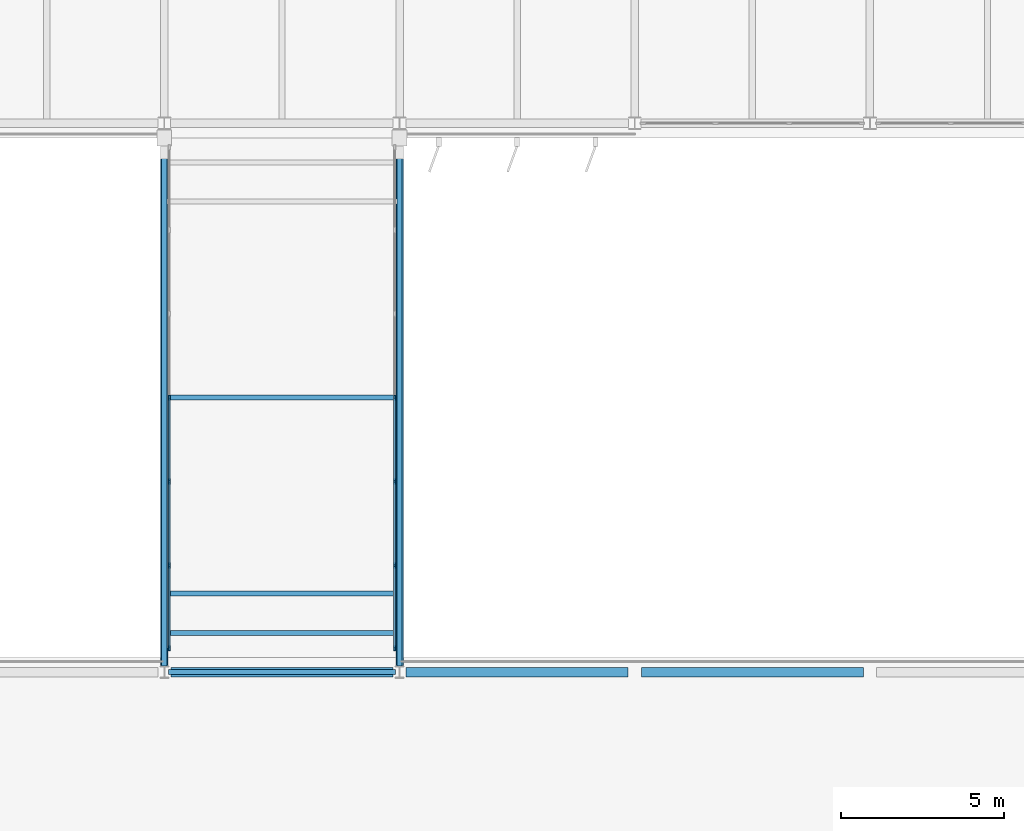
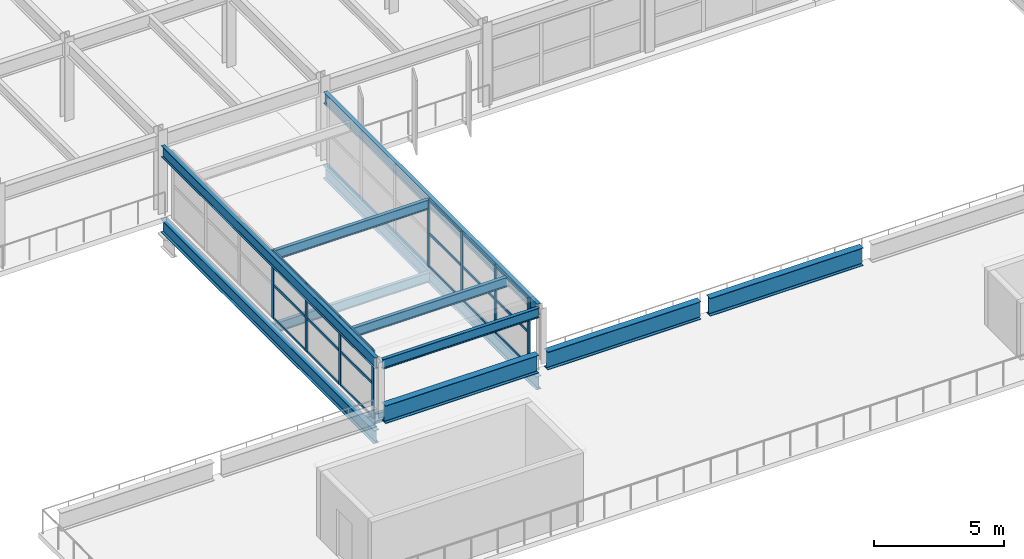
# One storey, part 19 of 93: 26 members, 12 beams, 2 elements without a shape of their own.
"""IFC4 building model written with IfcOpenShell, lengths in metres."""

from ifc_helpers import new_model, si_unit, direction, frame, origin, origin_2d, place, context, subcontext, project, spatial, rectangle, i_section, extrude, material, material_profile, profile_set, type_object, element, aggregate, save


model = new_model("IFC4")

# Units and contexts
model_context = context("Model", 3, precision=1e-05, world=origin(), true_north=direction((0.0, 1.0)))
body_context = subcontext(model_context, "Body", "Model", "MODEL_VIEW")
ifc_project = project(units=[si_unit("LENGTHUNIT", "METRE"), si_unit("AREAUNIT", "SQUARE_METRE"), si_unit("VOLUMEUNIT", "CUBIC_METRE"), si_unit("PLANEANGLEUNIT", "RADIAN"), si_unit("MASSUNIT", "GRAM", prefix="KILO")], contexts=[model_context])

# Site, building, storey
site_placement = place(None, origin())
site = spatial("IfcSite", under=ifc_project, at=site_placement, CompositionType="ELEMENT")
building_placement = place(site_placement, origin())
building = spatial("IfcBuilding", under=site, at=building_placement, Name="Vaelcorin Mobility Hub", CompositionType="ELEMENT")
storey_placement = place(building_placement, frame((0.0, 0.0, 5.39990234375)))
storey = spatial("IfcBuildingStorey", under=building, at=storey_placement, Name="L01", CompositionType="ELEMENT", Elevation=5.39990234375)

# Beams
ifc_material_1 = material(Name="Steel ASTM A992 Grade 50", Category="steel")
ifc_material_profile_1 = material_profile(ifc_material_1, i_section(OverallWidth=0.152099609375, OverallDepth=0.455078125, WebThickness=0.008056640625, FlangeThickness=0.01318359375, FilletRadius=0.012939453125, at=origin_2d()), Name="W18X40")
ifc_profile_set_1 = profile_set([ifc_material_profile_1], Name="Steel ASTM A992 Grade 50")
beam_type_1 = type_object("IfcBeamType", Name="BM-W18X40", PredefinedType="JOIST", material=ifc_profile_set_1)
for number, where, z_axis, x_axis, name in (
    (1, (50.511962890625, 61.199951171875, -0.447998046875), (1.0, 0.0, 0.0), (0.0, 1.0, 0.0), "Link Bridge Floor Cross Beam LB1-BX-1"),
    (2, (50.511962890625, 68.39990234375, -0.447998046875), (1.0, 0.0, 0.0), (0.0, 1.0, 0.0), "Link Bridge Floor Cross Beam LB1-BX-2"),
):
    element("IfcBeam", number, at=place(storey_placement, frame(where, z_axis=z_axis, x_axis=x_axis)), inside=storey, type_object=beam_type_1, Name=name, PredefinedType="JOIST", context=body_context, shape_type="SweptSolid", body=[
        extrude(i_section(OverallWidth=0.152099609375, OverallDepth=0.455078125, WebThickness=0.008056640625, FlangeThickness=0.01318359375, FilletRadius=0.012939453125, at=origin_2d()), origin(), (0.0, 0.0, 1.0), 6.97607421875),
    ])
beam_1_placement = place(storey_placement, frame((50.530029296875, 60.0, 2.97216796875), z_axis=(1.0, 0.0, 0.0), x_axis=(0.0, 1.0, 0.0)))
element("IfcBeam", 3, at=beam_1_placement, inside=storey, type_object=beam_type_1, Name="L01 Beam LB1-RFX-S", PredefinedType="JOIST", context=body_context, shape_type="SweptSolid", body=[
    extrude(i_section(OverallWidth=0.152099609375, OverallDepth=0.455078125, WebThickness=0.008056640625, FlangeThickness=0.01318359375, FilletRadius=0.012939453125, at=origin_2d()), origin(), (0.0, 0.0, 1.0), 6.93994140625),
])
for number, where, z_axis, x_axis, name in (
    (4, (50.48095703125, 62.39990234375, 2.97216796875), (1.0, 0.0, 0.0), (0.0, 1.0, 0.0), "L01 Beam LB1-RFX-1"),
    (5, (50.48095703125, 68.39990234375, 2.97216796875), (1.0, 0.0, 0.0), (0.0, 1.0, 0.0), "L01 Beam LB1-RFX-2"),
):
    element("IfcBeam", number, at=place(storey_placement, frame(where, z_axis=z_axis, x_axis=x_axis)), inside=storey, type_object=beam_type_1, Name=name, PredefinedType="JOIST", context=body_context, shape_type="SweptSolid", body=[
        extrude(i_section(OverallWidth=0.152099609375, OverallDepth=0.455078125, WebThickness=0.008056640625, FlangeThickness=0.01318359375, FilletRadius=0.012939453125, at=origin_2d()), origin(), (0.0, 0.0, 1.0), 7.0380859375),
    ])
ifc_material_profile_2 = material_profile(ifc_material_1, i_section(OverallWidth=0.166015625, OverallDepth=0.528076171875, WebThickness=0.009765625, FlangeThickness=0.013671875, FilletRadius=0.013916015625, at=origin_2d()), Name="W21X50")
ifc_profile_set_2 = profile_set([ifc_material_profile_2], Name="Steel ASTM A992 Grade 50")
beam_type_2 = type_object("IfcBeamType", Name="BM-W21X50", PredefinedType="JOIST", material=ifc_profile_set_2)
for number, where, z_axis, x_axis, name in (
    (6, (50.39990234375, 60.179931640625, 2.93603515625), (0.0, 1.0, 0.0), (-1.0, 0.0, 0.0), "L01 Beam LB1-RFG-W"),
    (7, (57.60009765625, 60.179931640625, 2.93603515625), (0.0, 1.0, 0.0), (-1.0, 0.0, 0.0), "L01 Beam LB1-RFG-E"),
):
    element("IfcBeam", number, at=place(storey_placement, frame(where, z_axis=z_axis, x_axis=x_axis)), inside=storey, type_object=beam_type_2, Name=name, PredefinedType="JOIST", context=body_context, shape_type="SweptSolid", body=[
        extrude(i_section(OverallWidth=0.166015625, OverallDepth=0.528076171875, WebThickness=0.009765625, FlangeThickness=0.013671875, FilletRadius=0.013916015625, at=origin_2d()), origin(), (0.0, 0.0, 1.0), 16.43017578125),
    ])
ifc_material_profile_3 = material_profile(ifc_material_1, i_section(OverallWidth=0.22900390625, OverallDepth=0.612060546875, WebThickness=0.011962890625, FlangeThickness=0.01953125, FilletRadius=0.014892578125, at=origin_2d()), Name="W24X84")
ifc_profile_set_3 = profile_set([ifc_material_profile_3], Name="Steel ASTM A992 Grade 50")
beam_type_3 = type_object("IfcBeamType", Name="BM-W24X84", PredefinedType="BEAM", material=ifc_profile_set_3)
for number, where, z_axis, x_axis, name in (
    (8, (50.39990234375, 60.199951171875, -0.52587890625), (0.0, 1.0, 0.0), (-1.0, 0.0, 0.0), "Link Bridge Girder LB1-W"),
    (9, (57.60009765625, 60.199951171875, -0.52587890625), (0.0, 1.0, 0.0), (-1.0, 0.0, 0.0), "Link Bridge Girder LB1-E"),
):
    element("IfcBeam", number, at=place(storey_placement, frame(where, z_axis=z_axis, x_axis=x_axis)), inside=storey, type_object=beam_type_3, Name=name, PredefinedType="BEAM", context=body_context, shape_type="SweptSolid", body=[
        extrude(i_section(OverallWidth=0.22900390625, OverallDepth=0.612060546875, WebThickness=0.011962890625, FlangeThickness=0.01953125, FilletRadius=0.014892578125, at=origin_2d()), origin(), (0.0, 0.0, 1.0), 16.400146484375),
    ])
ifc_material_profile_4 = material_profile(ifc_material_1, i_section(OverallWidth=0.2919921875, OverallDepth=0.841064453125, WebThickness=0.0146484375, FlangeThickness=0.021728515625, FilletRadius=0.01806640625, at=origin_2d()), Name="W33X130")
ifc_profile_set_4 = profile_set([ifc_material_profile_4], Name="Steel ASTM A992 Grade 50")
beam_type_4 = type_object("IfcBeamType", Name="BM-W33X130", PredefinedType="BEAM", material=ifc_profile_set_4)
beam_2_placement = place(storey_placement, frame((50.60009765625, 60.0, 0.630126953125), z_axis=(1.0, 0.0, 0.0), x_axis=(0.0, 1.0, 0.0)))
element("IfcBeam", 10, at=beam_2_placement, inside=storey, type_object=beam_type_4, Name="L01 Beam V1-EAVE-N-03", PredefinedType="BEAM", context=body_context, shape_type="SweptSolid", body=[
    extrude(i_section(OverallWidth=0.2919921875, OverallDepth=0.841064453125, WebThickness=0.0146484375, FlangeThickness=0.021728515625, FilletRadius=0.01806640625, at=origin_2d()), origin(), (0.0, 0.0, 1.0), 6.7998046875),
])
for number, where, z_axis, x_axis, name in (
    (11, (57.800048828125, 60.0, 0.630126953125), (1.0, 0.0, 0.0), (0.0, 1.0, 0.0), "L01 Beam V1-EAVE-N-04"),
    (12, (65.0, 60.0, 0.630126953125), (1.0, 0.0, 0.0), (0.0, 1.0, 0.0), "L01 Beam V1-EAVE-N-05"),
):
    element("IfcBeam", number, at=place(storey_placement, frame(where, z_axis=z_axis, x_axis=x_axis)), inside=storey, type_object=beam_type_4, Name=name, PredefinedType="BEAM", context=body_context, shape_type="SweptSolid", body=[
        extrude(i_section(OverallWidth=0.2919921875, OverallDepth=0.841064453125, WebThickness=0.0146484375, FlangeThickness=0.021728515625, FilletRadius=0.01806640625, at=origin_2d()), origin(), (0.0, 0.0, 1.0), 6.800048828125),
    ])

# Curtain wall, members
ifc_material_2 = material(Name="Anodised aluminium 6063-T6", Category="aluminium")
curtain_wall_type = type_object("IfcCurtainWallType", Name="CW-BRG-A", PredefinedType="NOTDEFINED", material=ifc_material_2)
curtain_wall_1_placement = place(storey_placement, origin())
curtain_wall_1 = element("IfcCurtainWall", 13, at=curtain_wall_1_placement, inside=storey, type_object=curtain_wall_type, Name="L01 Curtain Wall CW-LB1-W", PredefinedType="NOTDEFINED")
ifc_material_profile_5 = material_profile(ifc_material_2, rectangle(XDim=0.06005859375, YDim=0.159912109375, at=origin_2d()), Name="ALU-M60X160")
ifc_profile_set_5 = profile_set([ifc_material_profile_5], Name="Anodised aluminium 6063-T6")
member_type_1 = type_object("IfcMemberType", Name="CW-MULL-160", PredefinedType="MULLION", material=ifc_profile_set_5)
member_1_placement = place(storey_placement, frame((50.550048828125, 60.72998046875, 0.0), z_axis=(0.0, 0.0, 1.0), x_axis=(-1.0, 0.0, 0.0)))
member_1 = element("IfcMember", 14, at=member_1_placement, type_object=member_type_1, Name="CW8 mullion 1", PredefinedType="MULLION", context=body_context, shape_type="SweptSolid", body=[
    extrude(rectangle(XDim=0.06005859375, YDim=0.159912109375, at=origin_2d()), origin(), (0.0, 0.0, 1.0), 3.2001953125),
])
member_2_placement = place(storey_placement, frame((50.550048828125, 63.2666015625, 0.0), z_axis=(0.0, 0.0, 1.0), x_axis=(-1.0, 0.0, 0.0)))
member_2 = element("IfcMember", 15, at=member_2_placement, type_object=member_type_1, Name="CW8 mullion 2", PredefinedType="MULLION", context=body_context, shape_type="SweptSolid", body=[
    extrude(rectangle(XDim=0.06005859375, YDim=0.159912109375, at=origin_2d()), origin(), (0.0, 0.0, 1.0), 3.2001953125),
])
member_3_placement = place(storey_placement, frame((50.550048828125, 65.833251953125, 0.0), z_axis=(0.0, 0.0, 1.0), x_axis=(-1.0, 0.0, 0.0)))
member_3 = element("IfcMember", 16, at=member_3_placement, type_object=member_type_1, Name="CW8 mullion 3", PredefinedType="MULLION", context=body_context, shape_type="SweptSolid", body=[
    extrude(rectangle(XDim=0.06005859375, YDim=0.159912109375, at=origin_2d()), origin(), (0.0, 0.0, 1.0), 3.2001953125),
])
member_4_placement = place(storey_placement, frame((50.550048828125, 68.39990234375, 0.0), z_axis=(0.0, 0.0, 1.0), x_axis=(-1.0, 0.0, 0.0)))
member_4 = element("IfcMember", 17, at=member_4_placement, type_object=member_type_1, Name="CW8 mullion 4", PredefinedType="MULLION", context=body_context, shape_type="SweptSolid", body=[
    extrude(rectangle(XDim=0.06005859375, YDim=0.159912109375, at=origin_2d()), origin(), (0.0, 0.0, 1.0), 3.2001953125),
])

curtain_wall_2_placement = place(storey_placement, origin())
curtain_wall_2 = element("IfcCurtainWall", 18, at=curtain_wall_2_placement, inside=storey, type_object=curtain_wall_type, Name="L01 Curtain Wall CW-LB1-E", PredefinedType="NOTDEFINED")
member_5_placement = place(storey_placement, frame((57.449951171875, 68.39990234375, 0.0), z_axis=(0.0, 0.0, 1.0), x_axis=(1.0, 0.0, 0.0)))
member_5 = element("IfcMember", 19, at=member_5_placement, type_object=member_type_1, Name="CW8 mullion 4", PredefinedType="MULLION", context=body_context, shape_type="SweptSolid", body=[
    extrude(rectangle(XDim=0.06005859375, YDim=0.159912109375, at=origin_2d()), origin(), (0.0, 0.0, 1.0), 3.2001953125),
])
member_6_placement = place(storey_placement, frame((57.449951171875, 65.833251953125, 0.0), z_axis=(0.0, 0.0, 1.0), x_axis=(1.0, 0.0, 0.0)))
member_6 = element("IfcMember", 20, at=member_6_placement, type_object=member_type_1, Name="CW8 mullion 5", PredefinedType="MULLION", context=body_context, shape_type="SweptSolid", body=[
    extrude(rectangle(XDim=0.06005859375, YDim=0.159912109375, at=origin_2d()), origin(), (0.0, 0.0, 1.0), 3.2001953125),
])
member_7_placement = place(storey_placement, frame((57.449951171875, 63.2666015625, 0.0), z_axis=(0.0, 0.0, 1.0), x_axis=(1.0, 0.0, 0.0)))
member_7 = element("IfcMember", 21, at=member_7_placement, type_object=member_type_1, Name="CW8 mullion 6", PredefinedType="MULLION", context=body_context, shape_type="SweptSolid", body=[
    extrude(rectangle(XDim=0.06005859375, YDim=0.159912109375, at=origin_2d()), origin(), (0.0, 0.0, 1.0), 3.2001953125),
])
member_8_placement = place(storey_placement, frame((57.449951171875, 60.72998046875, 0.0), z_axis=(0.0, 0.0, 1.0), x_axis=(1.0, 0.0, 0.0)))
member_8 = element("IfcMember", 22, at=member_8_placement, type_object=member_type_1, Name="CW8 mullion 7", PredefinedType="MULLION", context=body_context, shape_type="SweptSolid", body=[
    extrude(rectangle(XDim=0.06005859375, YDim=0.159912109375, at=origin_2d()), origin(), (0.0, 0.0, 1.0), 3.2001953125),
])

# Member
ifc_material_profile_6 = material_profile(ifc_material_2, rectangle(XDim=0.06005859375, YDim=0.1201171875, at=origin_2d()), Name="ALU-T60X120")
ifc_profile_set_6 = profile_set([ifc_material_profile_6], Name="Anodised aluminium 6063-T6")
member_type_2 = type_object("IfcMemberType", Name="CW-TRAN-140", PredefinedType="USERDEFINED", material=ifc_profile_set_6)
member_9_placement = place(storey_placement, frame((50.550048828125, 60.760009765625, 0.030029296875), z_axis=(0.0, 1.0, 0.0), x_axis=(-1.0, 0.0, 0.0)))
member_9 = element("IfcMember", 23, at=member_9_placement, type_object=member_type_2, Name="CW8 transom 1.1", ObjectType="TRANSOM", PredefinedType="USERDEFINED", context=body_context, shape_type="SweptSolid", body=[
    extrude(rectangle(XDim=0.06005859375, YDim=0.1201171875, at=origin_2d()), origin(), (0.0, 0.0, 1.0), 2.4765625),
])

member_10_placement = place(storey_placement, frame((50.550048828125, 60.760009765625, 1.60009765625), z_axis=(0.0, 1.0, 0.0), x_axis=(-1.0, 0.0, 0.0)))
member_10 = element("IfcMember", 24, at=member_10_placement, type_object=member_type_2, Name="CW8 transom 1.2", ObjectType="TRANSOM", PredefinedType="USERDEFINED", context=body_context, shape_type="SweptSolid", body=[
    extrude(rectangle(XDim=0.06005859375, YDim=0.1201171875, at=origin_2d()), origin(), (0.0, 0.0, 1.0), 2.4765625),
])

member_11_placement = place(storey_placement, frame((50.550048828125, 60.760009765625, 3.170166015625), z_axis=(0.0, 1.0, 0.0), x_axis=(-1.0, 0.0, 0.0)))
member_11 = element("IfcMember", 25, at=member_11_placement, type_object=member_type_2, Name="CW8 transom 1.3", ObjectType="TRANSOM", PredefinedType="USERDEFINED", context=body_context, shape_type="SweptSolid", body=[
    extrude(rectangle(XDim=0.06005859375, YDim=0.1201171875, at=origin_2d()), origin(), (0.0, 0.0, 1.0), 2.4765625),
])

member_12_placement = place(storey_placement, frame((50.550048828125, 63.296630859375, 0.030029296875), z_axis=(0.0, 1.0, 0.0), x_axis=(-1.0, 0.0, 0.0)))
member_12 = element("IfcMember", 26, at=member_12_placement, type_object=member_type_2, Name="CW8 transom 2.1", ObjectType="TRANSOM", PredefinedType="USERDEFINED", context=body_context, shape_type="SweptSolid", body=[
    extrude(rectangle(XDim=0.06005859375, YDim=0.1201171875, at=origin_2d()), origin(), (0.0, 0.0, 1.0), 2.506591796875),
])

member_13_placement = place(storey_placement, frame((50.550048828125, 63.296630859375, 1.60009765625), z_axis=(0.0, 1.0, 0.0), x_axis=(-1.0, 0.0, 0.0)))
member_13 = element("IfcMember", 27, at=member_13_placement, type_object=member_type_2, Name="CW8 transom 2.2", ObjectType="TRANSOM", PredefinedType="USERDEFINED", context=body_context, shape_type="SweptSolid", body=[
    extrude(rectangle(XDim=0.06005859375, YDim=0.1201171875, at=origin_2d()), origin(), (0.0, 0.0, 1.0), 2.506591796875),
])

member_14_placement = place(storey_placement, frame((50.550048828125, 63.296630859375, 3.170166015625), z_axis=(0.0, 1.0, 0.0), x_axis=(-1.0, 0.0, 0.0)))
member_14 = element("IfcMember", 28, at=member_14_placement, type_object=member_type_2, Name="CW8 transom 2.3", ObjectType="TRANSOM", PredefinedType="USERDEFINED", context=body_context, shape_type="SweptSolid", body=[
    extrude(rectangle(XDim=0.06005859375, YDim=0.1201171875, at=origin_2d()), origin(), (0.0, 0.0, 1.0), 2.506591796875),
])

member_15_placement = place(storey_placement, frame((50.550048828125, 65.86328125, 0.030029296875), z_axis=(0.0, 1.0, 0.0), x_axis=(-1.0, 0.0, 0.0)))
member_15 = element("IfcMember", 29, at=member_15_placement, type_object=member_type_2, Name="CW8 transom 3.1", ObjectType="TRANSOM", PredefinedType="USERDEFINED", context=body_context, shape_type="SweptSolid", body=[
    extrude(rectangle(XDim=0.06005859375, YDim=0.1201171875, at=origin_2d()), origin(), (0.0, 0.0, 1.0), 2.5068359375),
])

member_16_placement = place(storey_placement, frame((50.550048828125, 65.86328125, 1.60009765625), z_axis=(0.0, 1.0, 0.0), x_axis=(-1.0, 0.0, 0.0)))
member_16 = element("IfcMember", 30, at=member_16_placement, type_object=member_type_2, Name="CW8 transom 3.2", ObjectType="TRANSOM", PredefinedType="USERDEFINED", context=body_context, shape_type="SweptSolid", body=[
    extrude(rectangle(XDim=0.06005859375, YDim=0.1201171875, at=origin_2d()), origin(), (0.0, 0.0, 1.0), 2.5068359375),
])

member_17_placement = place(storey_placement, frame((50.550048828125, 65.86328125, 3.170166015625), z_axis=(0.0, 1.0, 0.0), x_axis=(-1.0, 0.0, 0.0)))
member_17 = element("IfcMember", 31, at=member_17_placement, type_object=member_type_2, Name="CW8 transom 3.3", ObjectType="TRANSOM", PredefinedType="USERDEFINED", context=body_context, shape_type="SweptSolid", body=[
    extrude(rectangle(XDim=0.06005859375, YDim=0.1201171875, at=origin_2d()), origin(), (0.0, 0.0, 1.0), 2.5068359375),
])

aggregate(curtain_wall_1, [member_1, member_2, member_3, member_4, member_9, member_10, member_11, member_12, member_13, member_14, member_15, member_16, member_17])

member_18_placement = place(storey_placement, frame((57.449951171875, 68.3701171875, 0.030029296875), z_axis=(0.0, -1.0, 0.0), x_axis=(1.0, 0.0, 0.0)))
member_18 = element("IfcMember", 32, at=member_18_placement, type_object=member_type_2, Name="CW8 transom 4.1", ObjectType="TRANSOM", PredefinedType="USERDEFINED", context=body_context, shape_type="SweptSolid", body=[
    extrude(rectangle(XDim=0.06005859375, YDim=0.1201171875, at=origin_2d()), origin(), (0.0, 0.0, 1.0), 2.5068359375),
])

member_19_placement = place(storey_placement, frame((57.449951171875, 68.3701171875, 1.60009765625), z_axis=(0.0, -1.0, 0.0), x_axis=(1.0, 0.0, 0.0)))
member_19 = element("IfcMember", 33, at=member_19_placement, type_object=member_type_2, Name="CW8 transom 4.2", ObjectType="TRANSOM", PredefinedType="USERDEFINED", context=body_context, shape_type="SweptSolid", body=[
    extrude(rectangle(XDim=0.06005859375, YDim=0.1201171875, at=origin_2d()), origin(), (0.0, 0.0, 1.0), 2.5068359375),
])

member_20_placement = place(storey_placement, frame((57.449951171875, 68.3701171875, 3.170166015625), z_axis=(0.0, -1.0, 0.0), x_axis=(1.0, 0.0, 0.0)))
member_20 = element("IfcMember", 34, at=member_20_placement, type_object=member_type_2, Name="CW8 transom 4.3", ObjectType="TRANSOM", PredefinedType="USERDEFINED", context=body_context, shape_type="SweptSolid", body=[
    extrude(rectangle(XDim=0.06005859375, YDim=0.1201171875, at=origin_2d()), origin(), (0.0, 0.0, 1.0), 2.5068359375),
])

member_21_placement = place(storey_placement, frame((57.449951171875, 65.80322265625, 0.030029296875), z_axis=(0.0, -1.0, 0.0), x_axis=(1.0, 0.0, 0.0)))
member_21 = element("IfcMember", 35, at=member_21_placement, type_object=member_type_2, Name="CW8 transom 5.1", ObjectType="TRANSOM", PredefinedType="USERDEFINED", context=body_context, shape_type="SweptSolid", body=[
    extrude(rectangle(XDim=0.06005859375, YDim=0.1201171875, at=origin_2d()), origin(), (0.0, 0.0, 1.0), 2.506591796875),
])

member_22_placement = place(storey_placement, frame((57.449951171875, 65.80322265625, 1.60009765625), z_axis=(0.0, -1.0, 0.0), x_axis=(1.0, 0.0, 0.0)))
member_22 = element("IfcMember", 36, at=member_22_placement, type_object=member_type_2, Name="CW8 transom 5.2", ObjectType="TRANSOM", PredefinedType="USERDEFINED", context=body_context, shape_type="SweptSolid", body=[
    extrude(rectangle(XDim=0.06005859375, YDim=0.1201171875, at=origin_2d()), origin(), (0.0, 0.0, 1.0), 2.506591796875),
])

member_23_placement = place(storey_placement, frame((57.449951171875, 65.80322265625, 3.170166015625), z_axis=(0.0, -1.0, 0.0), x_axis=(1.0, 0.0, 0.0)))
member_23 = element("IfcMember", 37, at=member_23_placement, type_object=member_type_2, Name="CW8 transom 5.3", ObjectType="TRANSOM", PredefinedType="USERDEFINED", context=body_context, shape_type="SweptSolid", body=[
    extrude(rectangle(XDim=0.06005859375, YDim=0.1201171875, at=origin_2d()), origin(), (0.0, 0.0, 1.0), 2.506591796875),
])

member_24_placement = place(storey_placement, frame((57.449951171875, 63.236572265625, 0.030029296875), z_axis=(0.0, -1.0, 0.0), x_axis=(1.0, 0.0, 0.0)))
member_24 = element("IfcMember", 38, at=member_24_placement, type_object=member_type_2, Name="CW8 transom 6.1", ObjectType="TRANSOM", PredefinedType="USERDEFINED", context=body_context, shape_type="SweptSolid", body=[
    extrude(rectangle(XDim=0.06005859375, YDim=0.1201171875, at=origin_2d()), origin(), (0.0, 0.0, 1.0), 2.4765625),
])

member_25_placement = place(storey_placement, frame((57.449951171875, 63.236572265625, 1.60009765625), z_axis=(0.0, -1.0, 0.0), x_axis=(1.0, 0.0, 0.0)))
member_25 = element("IfcMember", 39, at=member_25_placement, type_object=member_type_2, Name="CW8 transom 6.2", ObjectType="TRANSOM", PredefinedType="USERDEFINED", context=body_context, shape_type="SweptSolid", body=[
    extrude(rectangle(XDim=0.06005859375, YDim=0.1201171875, at=origin_2d()), origin(), (0.0, 0.0, 1.0), 2.4765625),
])

member_26_placement = place(storey_placement, frame((57.449951171875, 63.236572265625, 3.170166015625), z_axis=(0.0, -1.0, 0.0), x_axis=(1.0, 0.0, 0.0)))
member_26 = element("IfcMember", 40, at=member_26_placement, type_object=member_type_2, Name="CW8 transom 6.3", ObjectType="TRANSOM", PredefinedType="USERDEFINED", context=body_context, shape_type="SweptSolid", body=[
    extrude(rectangle(XDim=0.06005859375, YDim=0.1201171875, at=origin_2d()), origin(), (0.0, 0.0, 1.0), 2.4765625),
])

aggregate(curtain_wall_2, [member_5, member_6, member_7, member_8, member_18, member_19, member_20, member_21, member_22, member_23, member_24, member_25, member_26])

save(model, "model.ifc")
